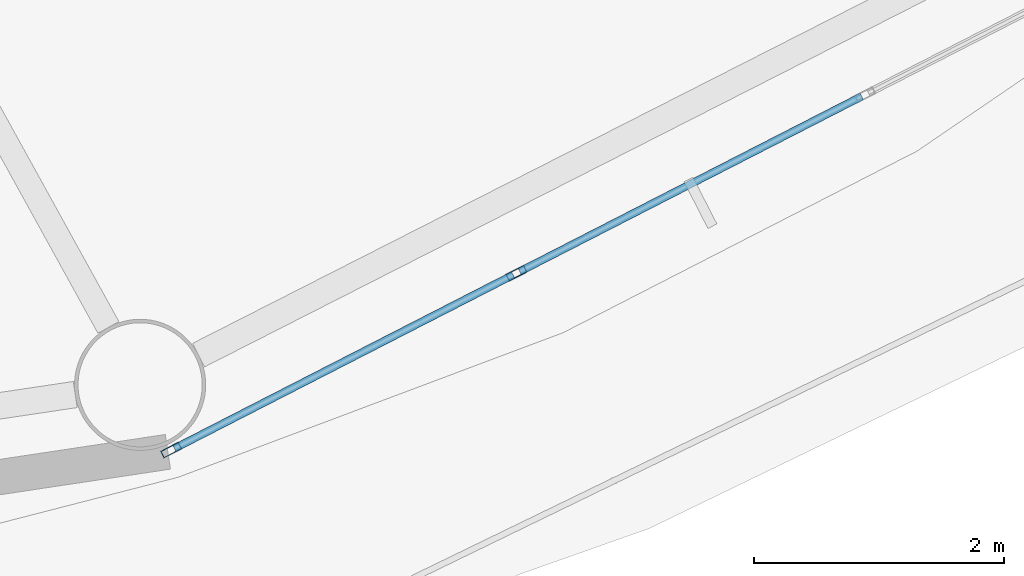
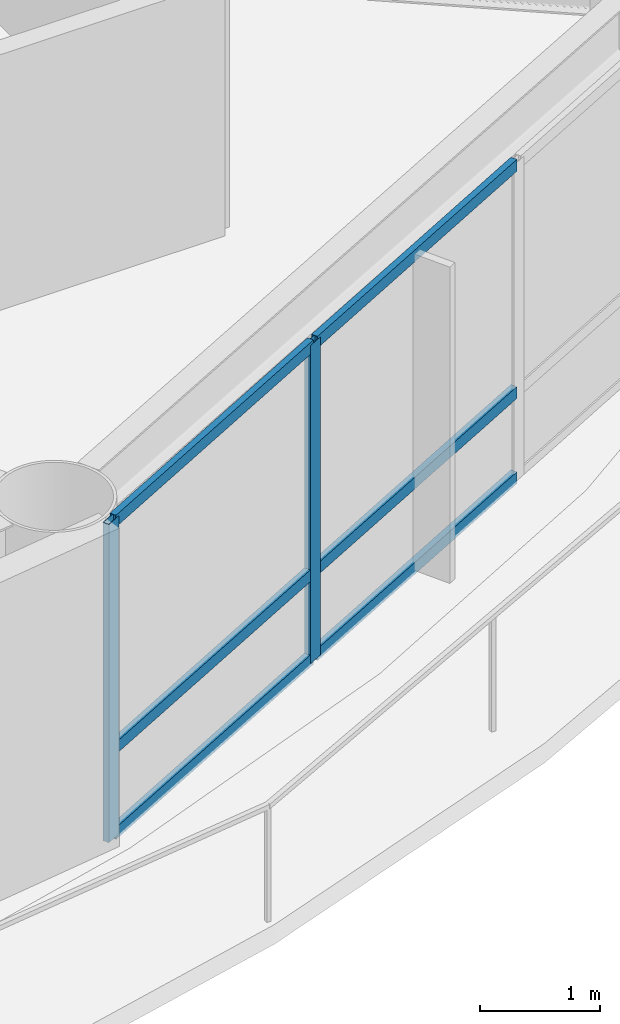
# One storey, part 5 of 24: 8 members, 1 element without a shape of its own.
"""IFC4 building model written with IfcOpenShell, lengths in metres."""

from ifc_helpers import new_model, si_unit, direction, frame, origin, origin_2d, place, context, subcontext, project, spatial, hollow_rectangle, extrude, material, layer, layer_set, material_profile, profile_set, type_object, element, aggregate, save


model = new_model("IFC4")

# Units and contexts
model_context = context("Model", 3, precision=1e-05, world=origin(), true_north=direction((0.0, 1.0)))
body_context = subcontext(model_context, "Body", "Model", "MODEL_VIEW")
ifc_project = project(units=[si_unit("LENGTHUNIT", "METRE"), si_unit("AREAUNIT", "SQUARE_METRE"), si_unit("VOLUMEUNIT", "CUBIC_METRE"), si_unit("PLANEANGLEUNIT", "RADIAN"), si_unit("MASSUNIT", "GRAM", prefix="KILO")], contexts=[model_context])

# Site, building, storey
site_placement = place(None, origin())
site = spatial("IfcSite", under=ifc_project, at=site_placement, CompositionType="ELEMENT")
building_placement = place(site_placement, origin())
building = spatial("IfcBuilding", under=site, at=building_placement, Name="Sarneth Arch Tower", CompositionType="ELEMENT")
storey_placement = place(building_placement, frame((0.0, 0.0, 253.199951171875)))
storey = spatial("IfcBuildingStorey", under=building, at=storey_placement, Name="L65", CompositionType="ELEMENT", Elevation=253.199951171875)

# Curtain wall, members
ifc_material_1 = material(Name="Anodised aluminium Type AA25 and solar-control low-e laminated IGU", Category="aluminium")
ifc_layer = layer(ifc_material_1, 0.179931640625)
ifc_layer_set = layer_set([ifc_layer], Name="Anodised aluminium Type AA25 and solar-control low-e laminated IGU")
curtain_wall_type = type_object("IfcCurtainWallType", Name="CW-RES-HIGH", PredefinedType="NOTDEFINED", material=ifc_layer_set)
curtain_wall_placement = place(storey_placement, origin())
curtain_wall = element("IfcCurtainWall", 1, at=curtain_wall_placement, inside=storey, type_object=curtain_wall_type, Name="L65 Unitised curtain wall facet 14", PredefinedType="NOTDEFINED")
ifc_material_2 = material(Name="Anodised Aluminium 6063-T6", Category="aluminium")
ifc_material_profile_1 = material_profile(ifc_material_2, hollow_rectangle(XDim=0.06005859375, YDim=0.159912109375, WallThickness=0.00390625, at=origin_2d()), Name="AL-MULL-160x60x4")
ifc_profile_set_1 = profile_set([ifc_material_profile_1], Name="Anodised Aluminium 6063-T6")
member_type_1 = type_object("IfcMemberType", Name="CW-MULLION", PredefinedType="MULLION", material=ifc_profile_set_1)
member_1_placement = place(storey_placement, frame((58.039306640625, 23.7392578125, 0.0), z_axis=(0.0, 0.0, 1.0), x_axis=(-0.455941901753, 0.890009540525, 0.0)))
member_1 = element("IfcMember", 2, at=member_1_placement, type_object=member_type_1, Name="CW-SYS-6 mullion 1", PredefinedType="MULLION", context=body_context, shape_type="SweptSolid", body=[
    extrude(hollow_rectangle(XDim=0.06005859375, YDim=0.159912109375, WallThickness=0.00390625, at=origin_2d()), origin(), (0.0, 0.0, 1.0), 3.25),
])
member_2_placement = place(storey_placement, frame((60.802490234375, 25.155029296875, 0.0), z_axis=(0.0, 0.0, 1.0), x_axis=(-0.455941901753, 0.890009540525, 0.0)))
member_2 = element("IfcMember", 3, at=member_2_placement, type_object=member_type_1, Name="CW-SYS-6 mullion 2", PredefinedType="MULLION", context=body_context, shape_type="SweptSolid", body=[
    extrude(hollow_rectangle(XDim=0.06005859375, YDim=0.159912109375, WallThickness=0.00390625, at=origin_2d()), origin(), (0.0, 0.0, 1.0), 3.25),
])
ifc_material_3 = material(Name="Anodised Aluminium 6063-T6", Category="aluminium")
ifc_material_profile_2 = material_profile(ifc_material_3, hollow_rectangle(XDim=0.06005859375, YDim=0.1201171875, WallThickness=0.00390625, at=origin_2d()), Name="AL-TRAN-120x60x4")
ifc_profile_set_2 = profile_set([ifc_material_profile_2], Name="Anodised Aluminium 6063-T6")
member_type_2 = type_object("IfcMemberType", Name="CW-TRANSOM", PredefinedType="USERDEFINED", material=ifc_profile_set_2)
member_3_placement = place(storey_placement, frame((58.066162109375, 23.7529296875, 0.030029296875), z_axis=(0.889973523166, 0.456012201662, 0.0), x_axis=(-0.456012201662, 0.889973523166, 0.0)))
member_3 = element("IfcMember", 4, at=member_3_placement, type_object=member_type_2, Name="CW-SYS-6 transom 1.1", ObjectType="TRANSOM", PredefinedType="USERDEFINED", context=body_context, shape_type="SweptSolid", body=[
    extrude(hollow_rectangle(XDim=0.06005859375, YDim=0.1201171875, WallThickness=0.00390625, at=origin_2d()), origin(), (0.0, 0.0, 1.0), 3.044677734375),
])
member_4_placement = place(storey_placement, frame((58.066162109375, 23.7529296875, 0.900146484375), z_axis=(0.889973523166, 0.456012201662, 0.0), x_axis=(-0.456012201662, 0.889973523166, 0.0)))
member_4 = element("IfcMember", 5, at=member_4_placement, type_object=member_type_2, Name="CW-SYS-6 transom 1.2", ObjectType="TRANSOM", PredefinedType="USERDEFINED", context=body_context, shape_type="SweptSolid", body=[
    extrude(hollow_rectangle(XDim=0.06005859375, YDim=0.1201171875, WallThickness=0.00390625, at=origin_2d()), origin(), (0.0, 0.0, 1.0), 3.044677734375),
])
member_5_placement = place(storey_placement, frame((58.066162109375, 23.7529296875, 3.219970703125), z_axis=(0.889973523166, 0.456012201662, 0.0), x_axis=(-0.456012201662, 0.889973523166, 0.0)))
member_5 = element("IfcMember", 6, at=member_5_placement, type_object=member_type_2, Name="CW-SYS-6 transom 1.3", ObjectType="TRANSOM", PredefinedType="USERDEFINED", context=body_context, shape_type="SweptSolid", body=[
    extrude(hollow_rectangle(XDim=0.06005859375, YDim=0.1201171875, WallThickness=0.00390625, at=origin_2d()), origin(), (0.0, 0.0, 1.0), 3.044677734375),
])
member_6_placement = place(storey_placement, frame((60.829345703125, 25.168701171875, 0.030029296875), z_axis=(0.890017432405, 0.455926496286, 0.0), x_axis=(-0.455926496286, 0.890017432405, 0.0)))
member_6 = element("IfcMember", 7, at=member_6_placement, type_object=member_type_2, Name="CW-SYS-6 transom 2.1", ObjectType="TRANSOM", PredefinedType="USERDEFINED", context=body_context, shape_type="SweptSolid", body=[
    extrude(hollow_rectangle(XDim=0.06005859375, YDim=0.1201171875, WallThickness=0.00390625, at=origin_2d()), origin(), (0.0, 0.0, 1.0), 3.07470703125),
])
member_7_placement = place(storey_placement, frame((60.829345703125, 25.168701171875, 0.900146484375), z_axis=(0.890017432405, 0.455926496286, 0.0), x_axis=(-0.455926496286, 0.890017432405, 0.0)))
member_7 = element("IfcMember", 8, at=member_7_placement, type_object=member_type_2, Name="CW-SYS-6 transom 2.2", ObjectType="TRANSOM", PredefinedType="USERDEFINED", context=body_context, shape_type="SweptSolid", body=[
    extrude(hollow_rectangle(XDim=0.06005859375, YDim=0.1201171875, WallThickness=0.00390625, at=origin_2d()), origin(), (0.0, 0.0, 1.0), 3.07470703125),
])
member_8_placement = place(storey_placement, frame((60.829345703125, 25.168701171875, 3.219970703125), z_axis=(0.890017432405, 0.455926496286, 0.0), x_axis=(-0.455926496286, 0.890017432405, 0.0)))
member_8 = element("IfcMember", 9, at=member_8_placement, type_object=member_type_2, Name="CW-SYS-6 transom 2.3", ObjectType="TRANSOM", PredefinedType="USERDEFINED", context=body_context, shape_type="SweptSolid", body=[
    extrude(hollow_rectangle(XDim=0.06005859375, YDim=0.1201171875, WallThickness=0.00390625, at=origin_2d()), origin(), (0.0, 0.0, 1.0), 3.07470703125),
])
aggregate(curtain_wall, [member_1, member_2, member_3, member_4, member_5, member_6, member_7, member_8])

save(model, "model.ifc")
